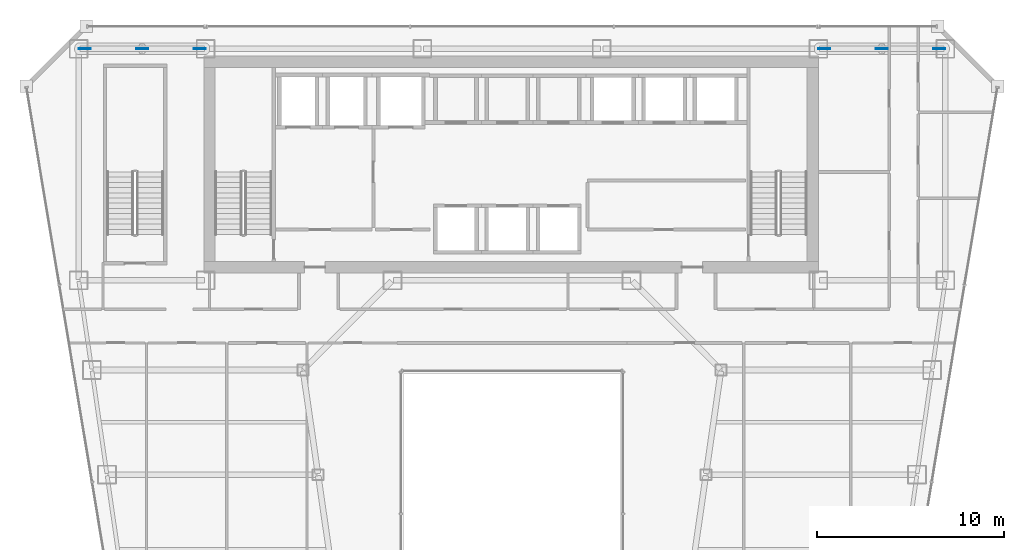
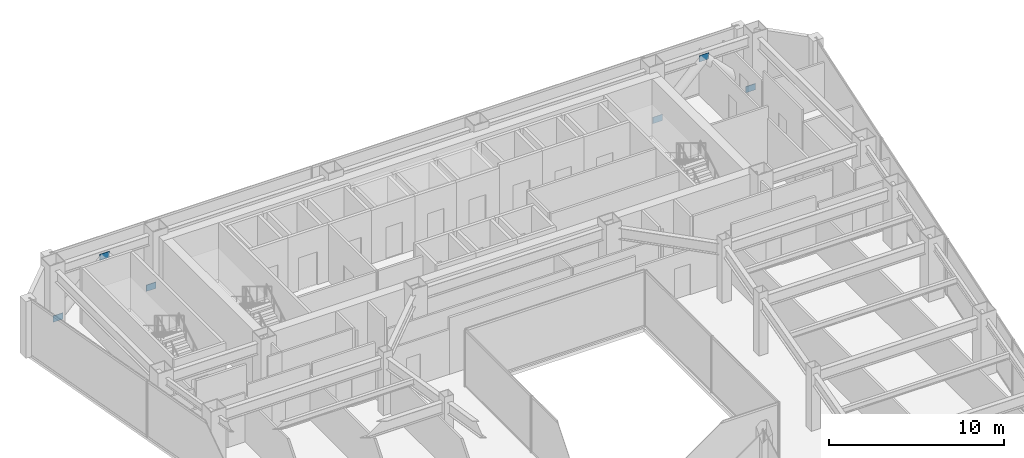
# One storey, part 29 of 36: 6 plates.
"""IFC4 building model written with IfcOpenShell, lengths in metres."""

from ifc_helpers import new_model, si_unit, direction, frame, origin, origin_2d, place, context, subcontext, project, spatial, rectangle, extrude, material, layer, layer_set, type_object, element, save


model = new_model("IFC4")

# Units and contexts
model_context = context("Model", 3, precision=1e-05, world=origin(), true_north=direction((0.0, 1.0)))
body_context = subcontext(model_context, "Body", "Model", "MODEL_VIEW")
ifc_project = project(units=[si_unit("LENGTHUNIT", "METRE"), si_unit("AREAUNIT", "SQUARE_METRE"), si_unit("VOLUMEUNIT", "CUBIC_METRE"), si_unit("PLANEANGLEUNIT", "RADIAN"), si_unit("MASSUNIT", "GRAM", prefix="KILO")], contexts=[model_context])

# Site, building, storey
site_placement = place(None, origin())
site = spatial("IfcSite", under=ifc_project, at=site_placement, CompositionType="ELEMENT")
building_placement = place(site_placement, origin())
building = spatial("IfcBuilding", under=site, at=building_placement, Name="Saevonmaru Cultural Tower", CompositionType="ELEMENT")
storey_placement = place(building_placement, frame((0.0, 0.0, 119.199951171875)))
storey = spatial("IfcBuildingStorey", under=building, at=storey_placement, Name="L25", CompositionType="ELEMENT", Elevation=119.199951171875)

# Plates
ifc_material = material(Name="Steel HSA600 (600 MPa)", Category="steel")
ifc_layer = layer(ifc_material, 0.0400390625, Name="Steel HSA600 (600 MPa)")
ifc_layer_set = layer_set([ifc_layer], Name="Steel HSA600 (600 MPa)")
plate_type = type_object("IfcPlateType", Name="PL-GUSSET-EXT", PredefinedType="USERDEFINED", material=ifc_layer_set)
for number, where, z_axis, x_axis, name in (
    (1, (10.199951171875, 54.800048828125, 3.25), (0.0, 0.0, 1.0), (1.0, 0.0, 0.0), "L25 Perimeter Tube Gusset Plate"),
    (2, (7.1201171875, 54.800048828125, 0.02001953125), (0.0, 0.0, 1.0), (1.0, 0.0, 0.0), "L25 Perimeter Tube Gusset Plate"),
    (3, (13.280029296875, 54.800048828125, 0.02001953125), (0.0, 0.0, 1.0), (1.0, 0.0, 0.0), "L25 Perimeter Tube Gusset Plate"),
    (4, (49.800048828125, 54.800048828125, 3.25), (0.0, 0.0, 1.0), (1.0, 0.0, 0.0), "L25 Perimeter Tube Gusset Plate"),
    (5, (46.719970703125, 54.800048828125, 0.02001953125), (0.0, 0.0, 1.0), (1.0, 0.0, 0.0), "L25 Perimeter Tube Gusset Plate"),
    (6, (52.8798828125, 54.800048828125, 0.02001953125), (0.0, 0.0, 1.0), (1.0, 0.0, 0.0), "L25 Perimeter Tube Gusset Plate"),
):
    element("IfcPlate", number, at=place(storey_placement, frame(where, z_axis=z_axis, x_axis=x_axis)), inside=storey, type_object=plate_type, Name=name, ObjectType="GUSSET_PLATE", PredefinedType="USERDEFINED", context=body_context, shape_type="SweptSolid", body=[
        extrude(rectangle(XDim=0.639892578125, YDim=0.0400390625, at=origin_2d()), origin(), (0.0, 0.0, 1.0), 0.43994140625),
    ])

save(model, "model.ifc")
